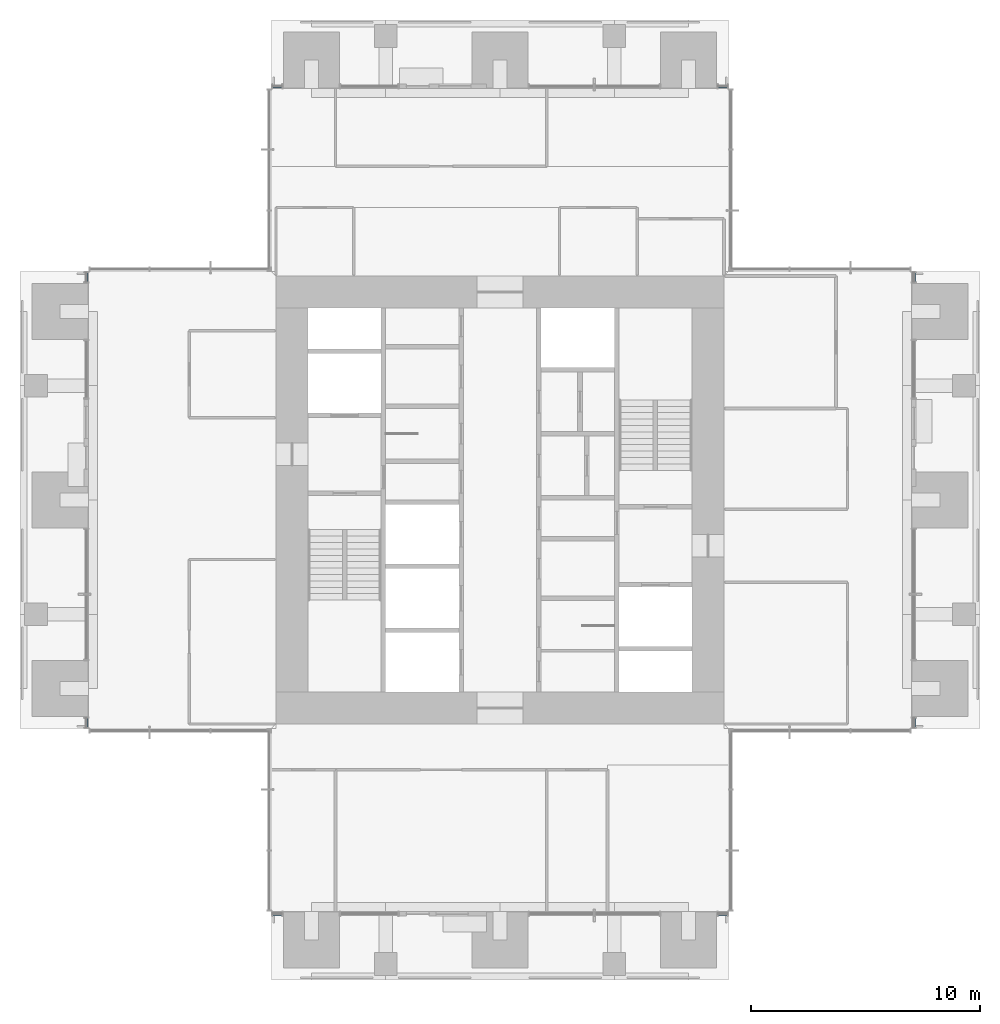
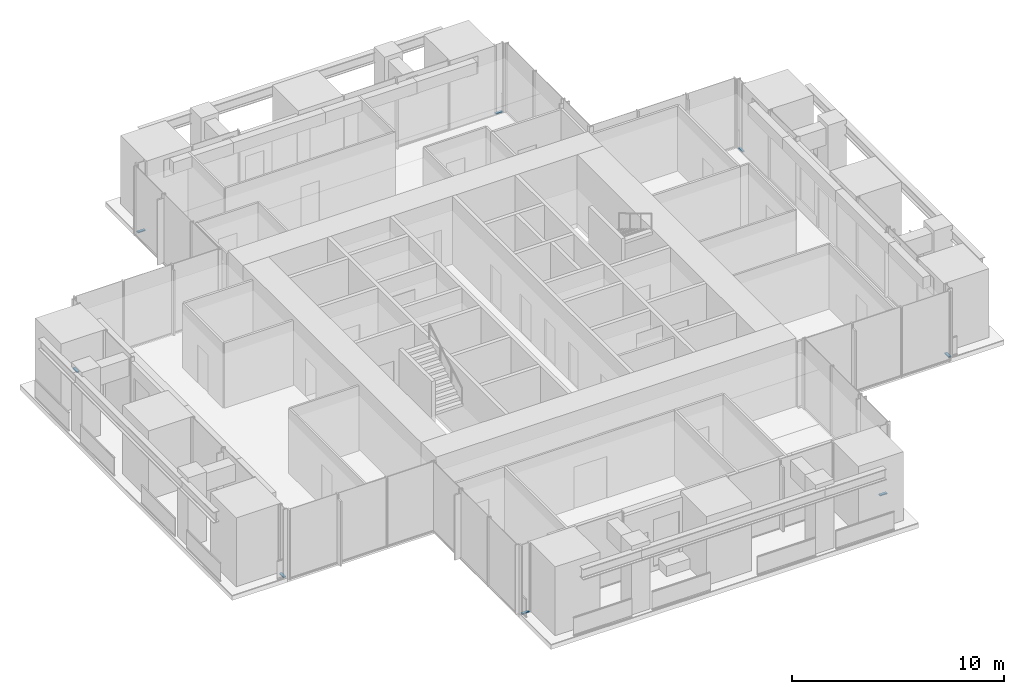
# One storey, part 6 of 17: 8 members, 8 elements without a shape of their own.
"""IFC4 building model written with IfcOpenShell, lengths in metres."""

from ifc_helpers import new_model, si_unit, direction, frame, origin, origin_2d, place, context, subcontext, project, spatial, rectangle, extrude, material, material_profile, profile_set, type_object, element, aggregate, save


model = new_model("IFC4")

# Units and contexts
model_context = context("Model", 3, precision=1e-05, world=origin(), true_north=direction((0.0, 1.0)))
body_context = subcontext(model_context, "Body", "Model", "MODEL_VIEW")
ifc_project = project(units=[si_unit("LENGTHUNIT", "METRE"), si_unit("AREAUNIT", "SQUARE_METRE"), si_unit("VOLUMEUNIT", "CUBIC_METRE"), si_unit("PLANEANGLEUNIT", "RADIAN"), si_unit("MASSUNIT", "GRAM", prefix="KILO")], contexts=[model_context])

# Site, building, storey
site_placement = place(None, origin())
site = spatial("IfcSite", under=ifc_project, at=site_placement, CompositionType="ELEMENT")
building_placement = place(site_placement, origin())
building = spatial("IfcBuilding", under=site, at=building_placement, Name="Svetlomir Tower", CompositionType="ELEMENT")
storey_placement = place(building_placement, frame((0.0, 0.0, 174.5)))
storey = spatial("IfcBuildingStorey", under=building, at=storey_placement, Name="L41", CompositionType="ELEMENT", Elevation=174.5)

# Curtain wall, member
ifc_material_1 = material(Name="Bronze anodised aluminium curtain wall", Category="aluminium")
curtain_wall_type = type_object("IfcCurtainWallType", Name="CURTAIN WALL CW1 TOWER OFFICE", PredefinedType="NOTDEFINED", material=ifc_material_1)
curtain_wall_1_placement = place(storey_placement, origin())
curtain_wall_1 = element("IfcCurtainWall", 1, at=curtain_wall_1_placement, inside=storey, type_object=curtain_wall_type, Name="Curtain wall CW1 L41", PredefinedType="NOTDEFINED")
ifc_material_2 = material(Name="Bronze anodised aluminium", Category="aluminium")
ifc_material_profile = material_profile(ifc_material_2, rectangle(XDim=0.139892578125, YDim=0.06494140625, at=origin_2d()), Name="AL 140x65")
ifc_profile_set = profile_set([ifc_material_profile], Name="Bronze anodised aluminium 6063-T6")
member_type = type_object("IfcMemberType", Name="CW1 TRANSOM 65x140", PredefinedType="USERDEFINED", material=ifc_profile_set)
member_1_placement = place(storey_placement, frame((11.06494140625, 2.89990234375, 0.032470703125), z_axis=(1.0, 0.0, 0.0), x_axis=(0.0, 1.0, 0.0)))
member_1 = element("IfcMember", 2, at=member_1_placement, type_object=member_type, Name="CW1 transom 1.1", ObjectType="TRANSOM", PredefinedType="USERDEFINED", context=body_context, shape_type="SweptSolid", body=[
    extrude(rectangle(XDim=0.139892578125, YDim=0.06494140625, at=origin_2d()), origin(), (0.0, 0.0, 1.0), 0.39501953125),
])
aggregate(curtain_wall_1, [member_1])

curtain_wall_2_placement = place(storey_placement, origin())
curtain_wall_2 = element("IfcCurtainWall", 3, at=curtain_wall_2_placement, inside=storey, type_object=curtain_wall_type, Name="Curtain wall CW1 L41", PredefinedType="NOTDEFINED")
member_2_placement = place(storey_placement, frame((30.5400390625, 2.89990234375, 0.032470703125), z_axis=(1.0, 0.0, 0.0), x_axis=(0.0, 1.0, 0.0)))
member_2 = element("IfcMember", 4, at=member_2_placement, type_object=member_type, Name="CW1 transom 1.1", ObjectType="TRANSOM", PredefinedType="USERDEFINED", context=body_context, shape_type="SweptSolid", body=[
    extrude(rectangle(XDim=0.139892578125, YDim=0.06494140625, at=origin_2d()), origin(), (0.0, 0.0, 1.0), 0.39501953125),
])
aggregate(curtain_wall_2, [member_2])

curtain_wall_3_placement = place(storey_placement, origin())
curtain_wall_3 = element("IfcCurtainWall", 5, at=curtain_wall_3_placement, inside=storey, type_object=curtain_wall_type, Name="Curtain wall CW1 L41", PredefinedType="NOTDEFINED")
member_3_placement = place(storey_placement, frame((39.10009765625, 11.06494140625, 0.032470703125), z_axis=(0.0, 1.0, 0.0), x_axis=(-1.0, 0.0, 0.0)))
member_3 = element("IfcMember", 6, at=member_3_placement, type_object=member_type, Name="CW1 transom 1.1", ObjectType="TRANSOM", PredefinedType="USERDEFINED", context=body_context, shape_type="SweptSolid", body=[
    extrude(rectangle(XDim=0.139892578125, YDim=0.06494140625, at=origin_2d()), origin(), (0.0, 0.0, 1.0), 0.39501953125),
])
aggregate(curtain_wall_3, [member_3])

curtain_wall_4_placement = place(storey_placement, origin())
curtain_wall_4 = element("IfcCurtainWall", 7, at=curtain_wall_4_placement, inside=storey, type_object=curtain_wall_type, Name="Curtain wall CW1 L41", PredefinedType="NOTDEFINED")
member_4_placement = place(storey_placement, frame((39.10009765625, 30.5400390625, 0.032470703125), z_axis=(0.0, 1.0, 0.0), x_axis=(-1.0, 0.0, 0.0)))
member_4 = element("IfcMember", 8, at=member_4_placement, type_object=member_type, Name="CW1 transom 1.1", ObjectType="TRANSOM", PredefinedType="USERDEFINED", context=body_context, shape_type="SweptSolid", body=[
    extrude(rectangle(XDim=0.139892578125, YDim=0.06494140625, at=origin_2d()), origin(), (0.0, 0.0, 1.0), 0.39501953125),
])
aggregate(curtain_wall_4, [member_4])

curtain_wall_5_placement = place(storey_placement, origin())
curtain_wall_5 = element("IfcCurtainWall", 9, at=curtain_wall_5_placement, inside=storey, type_object=curtain_wall_type, Name="Curtain wall CW1 L41", PredefinedType="NOTDEFINED")
member_5_placement = place(storey_placement, frame((30.93505859375, 39.10009765625, 0.032470703125), z_axis=(-1.0, 0.0, 0.0), x_axis=(0.0, -1.0, 0.0)))
member_5 = element("IfcMember", 10, at=member_5_placement, type_object=member_type, Name="CW1 transom 1.1", ObjectType="TRANSOM", PredefinedType="USERDEFINED", context=body_context, shape_type="SweptSolid", body=[
    extrude(rectangle(XDim=0.139892578125, YDim=0.06494140625, at=origin_2d()), origin(), (0.0, 0.0, 1.0), 0.39501953125),
])
aggregate(curtain_wall_5, [member_5])

curtain_wall_6_placement = place(storey_placement, origin())
curtain_wall_6 = element("IfcCurtainWall", 11, at=curtain_wall_6_placement, inside=storey, type_object=curtain_wall_type, Name="Curtain wall CW1 L41", PredefinedType="NOTDEFINED")
member_6_placement = place(storey_placement, frame((11.4599609375, 39.10009765625, 0.032470703125), z_axis=(-1.0, 0.0, 0.0), x_axis=(0.0, -1.0, 0.0)))
member_6 = element("IfcMember", 12, at=member_6_placement, type_object=member_type, Name="CW1 transom 1.1", ObjectType="TRANSOM", PredefinedType="USERDEFINED", context=body_context, shape_type="SweptSolid", body=[
    extrude(rectangle(XDim=0.139892578125, YDim=0.06494140625, at=origin_2d()), origin(), (0.0, 0.0, 1.0), 0.39501953125),
])
aggregate(curtain_wall_6, [member_6])

curtain_wall_7_placement = place(storey_placement, origin())
curtain_wall_7 = element("IfcCurtainWall", 13, at=curtain_wall_7_placement, inside=storey, type_object=curtain_wall_type, Name="Curtain wall CW1 L41", PredefinedType="NOTDEFINED")
member_7_placement = place(storey_placement, frame((2.89990234375, 30.93505859375, 0.032470703125), z_axis=(0.0, -1.0, 0.0), x_axis=(1.0, 0.0, 0.0)))
member_7 = element("IfcMember", 14, at=member_7_placement, type_object=member_type, Name="CW1 transom 1.1", ObjectType="TRANSOM", PredefinedType="USERDEFINED", context=body_context, shape_type="SweptSolid", body=[
    extrude(rectangle(XDim=0.139892578125, YDim=0.06494140625, at=origin_2d()), origin(), (0.0, 0.0, 1.0), 0.39501953125),
])
aggregate(curtain_wall_7, [member_7])

curtain_wall_8_placement = place(storey_placement, origin())
curtain_wall_8 = element("IfcCurtainWall", 15, at=curtain_wall_8_placement, inside=storey, type_object=curtain_wall_type, Name="Curtain wall CW1 L41", PredefinedType="NOTDEFINED")
member_8_placement = place(storey_placement, frame((2.89990234375, 11.4599609375, 0.032470703125), z_axis=(0.0, -1.0, 0.0), x_axis=(1.0, 0.0, 0.0)))
member_8 = element("IfcMember", 16, at=member_8_placement, type_object=member_type, Name="CW1 transom 1.1", ObjectType="TRANSOM", PredefinedType="USERDEFINED", context=body_context, shape_type="SweptSolid", body=[
    extrude(rectangle(XDim=0.139892578125, YDim=0.06494140625, at=origin_2d()), origin(), (0.0, 0.0, 1.0), 0.39501953125),
])
aggregate(curtain_wall_8, [member_8])

save(model, "model.ifc")
